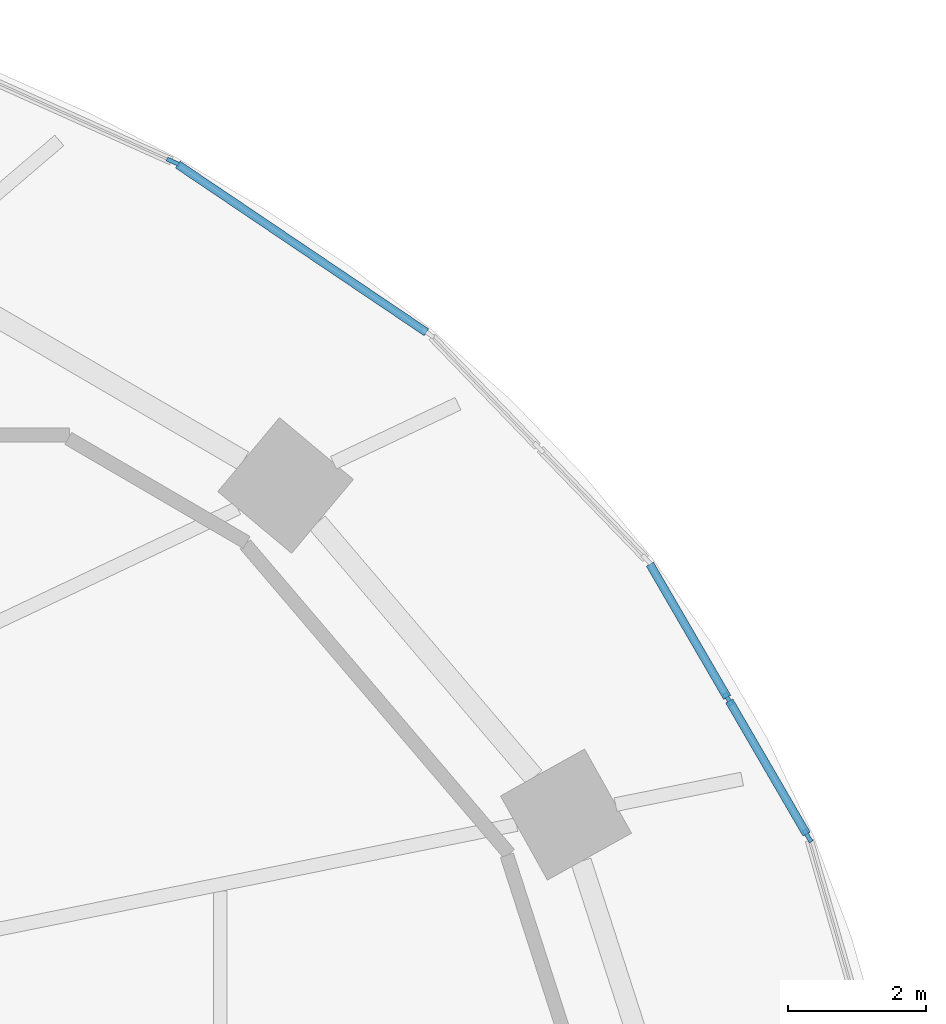
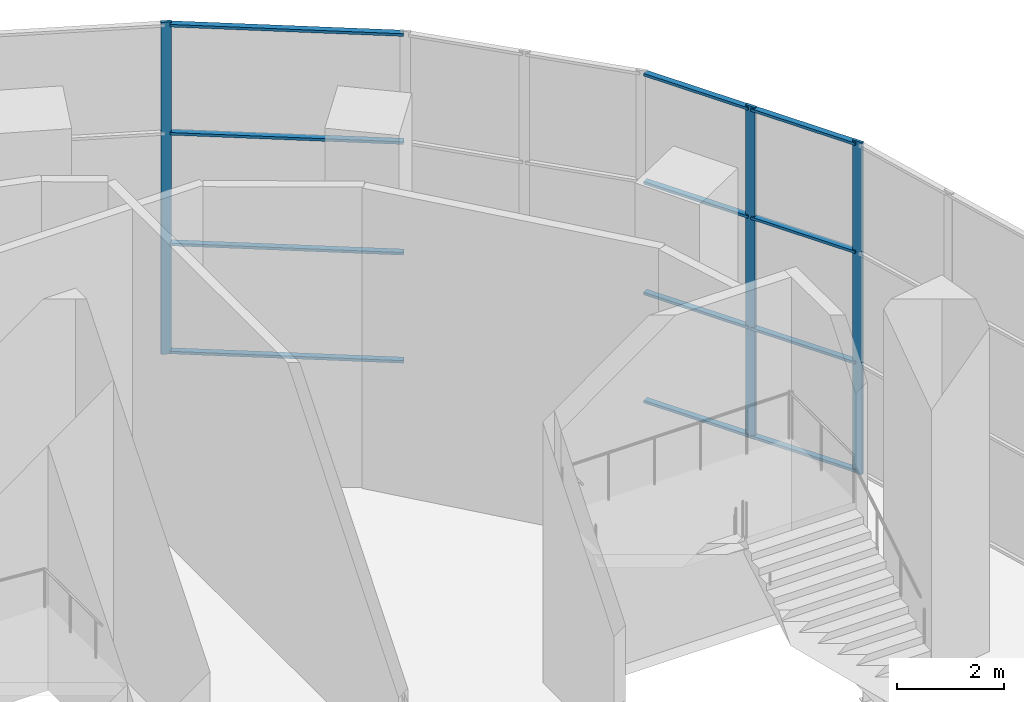
# One storey, part 9 of 22: 15 members, 3 elements without a shape of their own.
"""IFC4 building model written with IfcOpenShell, lengths in metres."""

import ifcopenshell
import ifcopenshell.guid

model = None  # the IFC model being written
_history = None  # IfcOwnerHistory: only IFC2X3 demands one
_inside = {}  # id of a spatial element -> (the spatial element, [elements in it])
_under = {}  # id of a project, library or spatial element -> (it, [spatial elements below it])
_declared = {}  # id of a project -> (the project, [libraries it declares])
_typed = {}  # id of a type object -> (the type object, [elements of that type])
_made_of = {}  # id of a material, layer set ... -> (it, [elements and type objects made of it])


def new_model(schema):
    """Start an empty IFC model of exactly this schema.

    Asked for "IFC4X3", IfcOpenShell would pick the latest addendum, in which some entities
    have other attributes; the version numbers below select the first issue.
    IFC2X3 requires an IfcOwnerHistory on every rooted entity: one is made here for all.
    """
    global model, _history
    if schema == "IFC4X3":
        model = ifcopenshell.file(schema_version=(4, 3, 0, 0))
    else:
        model = ifcopenshell.file(schema=schema)
    _inside.clear()
    _under.clear()
    _declared.clear()
    _typed.clear()
    _made_of.clear()
    _history = None
    if model.schema == "IFC2X3":
        org = make("IfcOrganization", Name="unknown")
        user = make(
            "IfcPersonAndOrganization",
            ThePerson=make("IfcPerson", FamilyName="unknown"),
            TheOrganization=org,
        )
        app = make(
            "IfcApplication",
            ApplicationDeveloper=org,
            Version="unknown",
            ApplicationFullName="unknown",
            ApplicationIdentifier="unknown",
        )
        _history = make(
            "IfcOwnerHistory",
            OwningUser=user,
            OwningApplication=app,
            ChangeAction="ADDED",
            CreationDate=0,
        )
    return model


def make(cls, **values):
    """One entity of the class cls with the attributes given. An attribute that is None is left unset."""
    return model.create_entity(
        cls, **{name: value for name, value in values.items() if value is not None}
    )


def rooted(cls, **values):
    """An entity with a GlobalId (a new one), such as an element, a storey or a relation."""
    return make(cls, GlobalId=ifcopenshell.guid.new(), OwnerHistory=_history, **values)


def si_unit(unit_type, name, prefix=None):
    """IfcSIUnit, for example si_unit("LENGTHUNIT", "METRE", prefix="MILLI")."""
    return make("IfcSIUnit", UnitType=unit_type, Prefix=prefix, Name=name)


def assignment(units):
    """IfcUnitAssignment: the units of a project."""
    return None if units is None else make("IfcUnitAssignment", Units=units)


def point(xyz):
    """IfcCartesianPoint."""
    return None if xyz is None else make("IfcCartesianPoint", Coordinates=xyz)


def direction(xyz):
    """IfcDirection."""
    return None if xyz is None else make("IfcDirection", DirectionRatios=xyz)


def frame(location, z_axis=None, x_axis=None):
    """IfcAxis2Placement3D, a coordinate frame: its origin and axes. An axis left out is left unset."""
    return make(
        "IfcAxis2Placement3D",
        Location=point(location),
        Axis=direction(z_axis),
        RefDirection=direction(x_axis),
    )


def frame_2d(location, x_axis=None):
    """IfcAxis2Placement2D, a coordinate frame in the plane: its origin and x axis."""
    return make(
        "IfcAxis2Placement2D", Location=point(location), RefDirection=direction(x_axis)
    )


def origin():
    """The frame at (0, 0, 0) with its axes left unset."""
    return frame((0.0, 0.0, 0.0))


def origin_2d():
    """The frame at (0, 0) in the plane with its x axis left unset."""
    return frame_2d((0.0, 0.0))


def place(relative_to, where):
    """IfcLocalPlacement: puts the frame where relative to a parent placement (None: the world)."""
    return make(
        "IfcLocalPlacement", PlacementRelTo=relative_to, RelativePlacement=where
    )


def context(
    kind, dimensions, precision=None, world=None, true_north=None, identifier=None
):
    """IfcGeometricRepresentationContext, for example the 3D "Model" context."""
    return make(
        "IfcGeometricRepresentationContext",
        ContextIdentifier=identifier,
        ContextType=kind,
        CoordinateSpaceDimension=dimensions,
        Precision=precision,
        WorldCoordinateSystem=world,
        TrueNorth=true_north,
    )


def subcontext(parent, identifier, kind, view, scale=None):
    """IfcGeometricRepresentationSubContext, for example "Body" below "Model"."""
    return make(
        "IfcGeometricRepresentationSubContext",
        ContextIdentifier=identifier,
        ContextType=kind,
        ParentContext=parent,
        TargetScale=scale,
        TargetView=view,
    )


def project(units=None, contexts=None):
    """IfcProject with its units and contexts."""
    return rooted(
        "IfcProject",
        Name="project",
        RepresentationContexts=contexts,
        UnitsInContext=assignment(units),
    )


def spatial(cls, under=None, at=None, **own):
    """A site, building, storey or space (cls), placed at a placement, below another one or the project."""
    s = rooted(cls, ObjectPlacement=at, **own)
    if under is not None:
        _under.setdefault(under.id(), (under, []))[1].append(s)
    return s


def profile(cls, at=None, kind="AREA", **sizes):
    """A parametric profile (cls). Its sizes go by their IFC names, for example OverallWidth=200.0."""
    return make(cls, ProfileType=kind, Position=at, **sizes)


def rectangle(**sizes):
    """IfcRectangleProfileDef."""
    return profile("IfcRectangleProfileDef", **sizes)


def extrude(swept, where, along, depth):
    """IfcExtrudedAreaSolid: the profile swept, set in the frame where, extruded along a direction by depth."""
    return make(
        "IfcExtrudedAreaSolid",
        SweptArea=swept,
        Position=where,
        ExtrudedDirection=direction(along),
        Depth=depth,
    )


def shape(context_of_items, identifier, shape_type, items):
    """IfcShapeRepresentation: the items that make up one representation, for example the "Body"."""
    return make(
        "IfcShapeRepresentation",
        ContextOfItems=context_of_items,
        RepresentationIdentifier=identifier,
        RepresentationType=shape_type,
        Items=items,
    )


def material(Name=None, Category=None):
    """IfcMaterial."""
    return make("IfcMaterial", Name=Name, Category=Category)


def material_profile(
    of_material, cross_section, Name=None, Category=None, Priority=None
):
    """IfcMaterialProfile: a cross section and its material."""
    return make(
        "IfcMaterialProfile",
        Name=Name,
        Material=of_material,
        Profile=cross_section,
        Priority=Priority,
        Category=Category,
    )


def profile_set(profiles, Name=None, composite=None):
    """IfcMaterialProfileSet."""
    return make(
        "IfcMaterialProfileSet",
        Name=Name,
        MaterialProfiles=profiles,
        CompositeProfile=composite,
    )


def made_of(thing, what):
    """Note that an element or type object is made of a material, layer set ...; save() writes the relation."""
    if what is not None:
        _made_of.setdefault(what.id(), (what, []))[1].append(thing)
    return thing


def type_object(cls, material=None, **own):
    """A type object (cls), such as IfcWallType, which elements share."""
    return made_of(rooted(cls, **own), material)


def element(
    cls,
    number,
    at=None,
    inside=None,
    cuts=None,
    type_object=None,
    material=None,
    context=None,
    identifier="Body",
    shape_type=None,
    held_by="IfcProductDefinitionShape",
    body=None,
    shapes=None,
    **own,
):
    """One element of the class cls, such as IfcWall. Its Tag is "e" and its number.

    at: its placement. inside: the storey or other place that contains it. cuts: it is an
    opening in that element (IfcRelVoidsElement). A single representation is given by context,
    identifier, shape_type and body (its items); several are given by shapes. held_by: the class
    of the entity that holds the representations. save() writes the other relations.
    """
    e = rooted(cls, Tag="e%d" % number, ObjectPlacement=at, **own)
    if body is not None:
        shapes = [shape(context, identifier, shape_type, body)]
    if shapes is not None:
        e.Representation = make(held_by, Representations=shapes)
    if inside is not None:
        _inside.setdefault(inside.id(), (inside, []))[1].append(e)
    if cuts is not None:
        rooted(
            "IfcRelVoidsElement", RelatingBuildingElement=cuts, RelatedOpeningElement=e
        )
    if type_object is not None:
        _typed.setdefault(type_object.id(), (type_object, []))[1].append(e)
    return made_of(e, material)


def aggregate(whole, parts):
    """IfcRelAggregates: a whole, such as a stair, and the parts it consists of."""
    return rooted("IfcRelAggregates", RelatingObject=whole, RelatedObjects=parts)


def save(model, path):
    """Write the relations noted so far, then the file.

    IfcRelAggregates (storeys below a building ...), IfcRelContainedInSpatialStructure (elements
    in a storey), IfcRelDefinesByType, IfcRelAssociatesMaterial and IfcRelDeclares: one each for
    every whole, place, type object, material and project.
    """
    for whole, parts in _under.values():
        aggregate(whole, parts)
    for where, things in _inside.values():
        rooted(
            "IfcRelContainedInSpatialStructure",
            RelatedElements=things,
            RelatingStructure=where,
        )
    for kind, things in _typed.values():
        rooted("IfcRelDefinesByType", RelatedObjects=things, RelatingType=kind)
    for what, things in _made_of.values():
        rooted("IfcRelAssociatesMaterial", RelatedObjects=things, RelatingMaterial=what)
    for by, libraries in _declared.values():
        rooted("IfcRelDeclares", RelatingContext=by, RelatedDefinitions=libraries)
    model.write(path)


model = new_model("IFC4")

# Units and contexts
model_context = context("Model", 3, precision=1e-05, world=origin(), true_north=direction((0.0, 1.0)))
body_context = subcontext(model_context, "Body", "Model", "MODEL_VIEW")
ifc_project = project(units=[si_unit("LENGTHUNIT", "METRE"), si_unit("AREAUNIT", "SQUARE_METRE"), si_unit("VOLUMEUNIT", "CUBIC_METRE"), si_unit("PLANEANGLEUNIT", "RADIAN"), si_unit("MASSUNIT", "GRAM", prefix="KILO")], contexts=[model_context])

# Site, building, storey
site_placement = place(None, origin())
site = spatial("IfcSite", under=ifc_project, at=site_placement, CompositionType="ELEMENT")
building_placement = place(site_placement, origin())
building = spatial("IfcBuilding", under=site, at=building_placement, Name="Rubra Terraces Tower", CompositionType="ELEMENT")
storey_placement = place(building_placement, frame((0.0, 0.0, 15.0)))
storey = spatial("IfcBuildingStorey", under=building, at=storey_placement, Name="L02", CompositionType="ELEMENT", Elevation=15.0)

# Curtain wall, members
ifc_material_1 = material(Name="Aluminium and glass", Category="aluminium")
curtain_wall_type = type_object("IfcCurtainWallType", Name="Curtain wall Podium glazing", PredefinedType="NOTDEFINED", material=ifc_material_1)
curtain_wall_1_placement = place(storey_placement, origin())
curtain_wall_1 = element("IfcCurtainWall", 1, at=curtain_wall_1_placement, inside=storey, type_object=curtain_wall_type, Name="L02 glazing bay 3", PredefinedType="NOTDEFINED")
ifc_material_2 = material(Name="Aluminium, anodised dark grey", Category="aluminium")
ifc_material_profile_1 = material_profile(ifc_material_2, rectangle(XDim=0.06005859375, YDim=0.199951171875, at=origin_2d()), Name="AL 60x200")
ifc_profile_set_1 = profile_set([ifc_material_profile_1], Name="Aluminium, anodised dark grey")
member_type_1 = type_object("IfcMemberType", Name="Podium glazing mullion 60 x 200", PredefinedType="MULLION", material=ifc_profile_set_1)
member_1_placement = place(storey_placement, frame((28.18798828125, 9.17333984375, 0.0), z_axis=(0.0, 0.0, 1.0), x_axis=(-0.864813011398, -0.502094070187, 0.0)))
member_1 = element("IfcMember", 2, at=member_1_placement, type_object=member_type_1, Name="CW1 mullion 1", PredefinedType="MULLION", context=body_context, shape_type="SweptSolid", body=[
    extrude(rectangle(XDim=0.06005859375, YDim=0.199951171875, at=origin_2d()), origin(), (0.0, 0.0, 1.0), 7.550048828125),
])
member_2_placement = place(storey_placement, frame((27.0341796875, 11.160888671875, 0.0), z_axis=(0.0, 0.0, 1.0), x_axis=(-0.864813011398, -0.502094070187, 0.0)))
member_2 = element("IfcMember", 3, at=member_2_placement, type_object=member_type_1, Name="CW1 mullion 2", PredefinedType="MULLION", context=body_context, shape_type="SweptSolid", body=[
    extrude(rectangle(XDim=0.06005859375, YDim=0.199951171875, at=origin_2d()), origin(), (0.0, 0.0, 1.0), 7.550048828125),
])

# Curtain wall, member
curtain_wall_2_placement = place(storey_placement, origin())
curtain_wall_2 = element("IfcCurtainWall", 4, at=curtain_wall_2_placement, inside=storey, type_object=curtain_wall_type, Name="L02 glazing bay 6", PredefinedType="NOTDEFINED")
member_3_placement = place(storey_placement, frame((18.968017578125, 18.969970703125, 0.0), z_axis=(0.0, 0.0, 1.0), x_axis=(-0.4089624427, -0.912551215254, 0.0)))
member_3 = element("IfcMember", 5, at=member_3_placement, type_object=member_type_1, Name="CW1 mullion 1", PredefinedType="MULLION", context=body_context, shape_type="SweptSolid", body=[
    extrude(rectangle(XDim=0.06005859375, YDim=0.199951171875, at=origin_2d()), origin(), (0.0, 0.0, 1.0), 7.550048828125),
])
aggregate(curtain_wall_2, [member_3])

# Member
ifc_material_profile_2 = material_profile(ifc_material_2, rectangle(XDim=0.1201171875, YDim=0.06005859375, at=origin_2d()), Name="AL 120x60")
ifc_profile_set_2 = profile_set([ifc_material_profile_2], Name="Aluminium, anodised dark grey")
member_type_2 = type_object("IfcMemberType", Name="Podium glazing transom 120 x 60", PredefinedType="USERDEFINED", material=ifc_profile_set_2)
member_4_placement = place(storey_placement, frame((28.173095703125, 9.19921875, 0.06005859375), z_axis=(-0.5021881448, 0.864758386616, 0.0), x_axis=(-0.864758386616, -0.5021881448, 0.0)))
member_4 = element("IfcMember", 6, at=member_4_placement, type_object=member_type_2, Name="CW1 transom 1.1", ObjectType="TRANSOM", PredefinedType="USERDEFINED", context=body_context, shape_type="SweptSolid", body=[
    extrude(rectangle(XDim=0.1201171875, YDim=0.06005859375, at=origin_2d()), origin(), (0.0, 0.0, 1.0), 2.23828125),
])

member_5_placement = place(storey_placement, frame((28.173095703125, 9.19921875, 2.5166015625), z_axis=(-0.5021881448, 0.864758386616, 0.0), x_axis=(-0.864758386616, -0.5021881448, 0.0)))
member_5 = element("IfcMember", 7, at=member_5_placement, type_object=member_type_2, Name="CW1 transom 1.2", ObjectType="TRANSOM", PredefinedType="USERDEFINED", context=body_context, shape_type="SweptSolid", body=[
    extrude(rectangle(XDim=0.1201171875, YDim=0.06005859375, at=origin_2d()), origin(), (0.0, 0.0, 1.0), 2.23828125),
])

member_6_placement = place(storey_placement, frame((28.173095703125, 9.19921875, 5.033203125), z_axis=(-0.5021881448, 0.864758386616, 0.0), x_axis=(-0.864758386616, -0.5021881448, 0.0)))
member_6 = element("IfcMember", 8, at=member_6_placement, type_object=member_type_2, Name="CW1 transom 1.3", ObjectType="TRANSOM", PredefinedType="USERDEFINED", context=body_context, shape_type="SweptSolid", body=[
    extrude(rectangle(XDim=0.1201171875, YDim=0.06005859375, at=origin_2d()), origin(), (0.0, 0.0, 1.0), 2.23828125),
])

member_7_placement = place(storey_placement, frame((28.173095703125, 9.19921875, 7.489990234375), z_axis=(-0.5021881448, 0.864758386616, 0.0), x_axis=(-0.864758386616, -0.5021881448, 0.0)))
member_7 = element("IfcMember", 9, at=member_7_placement, type_object=member_type_2, Name="CW1 transom 1.4", ObjectType="TRANSOM", PredefinedType="USERDEFINED", context=body_context, shape_type="SweptSolid", body=[
    extrude(rectangle(XDim=0.1201171875, YDim=0.06005859375, at=origin_2d()), origin(), (0.0, 0.0, 1.0), 2.23828125),
])

member_8_placement = place(storey_placement, frame((27.01904296875, 11.186767578125, 0.06005859375), z_axis=(-0.502106569931, 0.864805754162, 0.0), x_axis=(-0.864805754162, -0.502106569931, 0.0)))
member_8 = element("IfcMember", 10, at=member_8_placement, type_object=member_type_2, Name="CW1 transom 2.1", ObjectType="TRANSOM", PredefinedType="USERDEFINED", context=body_context, shape_type="SweptSolid", body=[
    extrude(rectangle(XDim=0.1201171875, YDim=0.06005859375, at=origin_2d()), origin(), (0.0, 0.0, 1.0), 2.238037109375),
])

member_9_placement = place(storey_placement, frame((27.01904296875, 11.186767578125, 2.5166015625), z_axis=(-0.502106569931, 0.864805754162, 0.0), x_axis=(-0.864805754162, -0.502106569931, 0.0)))
member_9 = element("IfcMember", 11, at=member_9_placement, type_object=member_type_2, Name="CW1 transom 2.2", ObjectType="TRANSOM", PredefinedType="USERDEFINED", context=body_context, shape_type="SweptSolid", body=[
    extrude(rectangle(XDim=0.1201171875, YDim=0.06005859375, at=origin_2d()), origin(), (0.0, 0.0, 1.0), 2.238037109375),
])

member_10_placement = place(storey_placement, frame((27.01904296875, 11.186767578125, 5.033203125), z_axis=(-0.502106569931, 0.864805754162, 0.0), x_axis=(-0.864805754162, -0.502106569931, 0.0)))
member_10 = element("IfcMember", 12, at=member_10_placement, type_object=member_type_2, Name="CW1 transom 2.3", ObjectType="TRANSOM", PredefinedType="USERDEFINED", context=body_context, shape_type="SweptSolid", body=[
    extrude(rectangle(XDim=0.1201171875, YDim=0.06005859375, at=origin_2d()), origin(), (0.0, 0.0, 1.0), 2.238037109375),
])

member_11_placement = place(storey_placement, frame((27.01904296875, 11.186767578125, 7.489990234375), z_axis=(-0.502106569931, 0.864805754162, 0.0), x_axis=(-0.864805754162, -0.502106569931, 0.0)))
member_11 = element("IfcMember", 13, at=member_11_placement, type_object=member_type_2, Name="CW1 transom 2.4", ObjectType="TRANSOM", PredefinedType="USERDEFINED", context=body_context, shape_type="SweptSolid", body=[
    extrude(rectangle(XDim=0.1201171875, YDim=0.06005859375, at=origin_2d()), origin(), (0.0, 0.0, 1.0), 2.238037109375),
])

aggregate(curtain_wall_1, [member_1, member_2, member_4, member_5, member_6, member_7, member_8, member_9, member_10, member_11])

# Curtain wall, members
curtain_wall_3_placement = place(storey_placement, origin())
curtain_wall_3 = element("IfcCurtainWall", 14, at=curtain_wall_3_placement, inside=storey, type_object=curtain_wall_type, Name="L02 glazing bay 5", PredefinedType="NOTDEFINED")
member_12_placement = place(storey_placement, frame((22.6474609375, 16.492431640625, 0.06005859375), z_axis=(-0.828996039897, 0.559254473236, 0.0), x_axis=(-0.559254473236, -0.828996039897, 0.0)))
member_12 = element("IfcMember", 15, at=member_12_placement, type_object=member_type_2, Name="CW1 transom 1.1", ObjectType="TRANSOM", PredefinedType="USERDEFINED", context=body_context, shape_type="SweptSolid", body=[
    extrude(rectangle(XDim=0.1201171875, YDim=0.06005859375, at=origin_2d()), origin(), (0.0, 0.0, 1.0), 4.35888671875),
])
member_13_placement = place(storey_placement, frame((22.6474609375, 16.492431640625, 2.5166015625), z_axis=(-0.828996039897, 0.559254473236, 0.0), x_axis=(-0.559254473236, -0.828996039897, 0.0)))
member_13 = element("IfcMember", 16, at=member_13_placement, type_object=member_type_2, Name="CW1 transom 1.2", ObjectType="TRANSOM", PredefinedType="USERDEFINED", context=body_context, shape_type="SweptSolid", body=[
    extrude(rectangle(XDim=0.1201171875, YDim=0.06005859375, at=origin_2d()), origin(), (0.0, 0.0, 1.0), 4.35888671875),
])
member_14_placement = place(storey_placement, frame((22.6474609375, 16.492431640625, 5.033203125), z_axis=(-0.828996039897, 0.559254473236, 0.0), x_axis=(-0.559254473236, -0.828996039897, 0.0)))
member_14 = element("IfcMember", 17, at=member_14_placement, type_object=member_type_2, Name="CW1 transom 1.3", ObjectType="TRANSOM", PredefinedType="USERDEFINED", context=body_context, shape_type="SweptSolid", body=[
    extrude(rectangle(XDim=0.1201171875, YDim=0.06005859375, at=origin_2d()), origin(), (0.0, 0.0, 1.0), 4.35888671875),
])
member_15_placement = place(storey_placement, frame((22.6474609375, 16.492431640625, 7.489990234375), z_axis=(-0.828996039897, 0.559254473236, 0.0), x_axis=(-0.559254473236, -0.828996039897, 0.0)))
member_15 = element("IfcMember", 18, at=member_15_placement, type_object=member_type_2, Name="CW1 transom 1.4", ObjectType="TRANSOM", PredefinedType="USERDEFINED", context=body_context, shape_type="SweptSolid", body=[
    extrude(rectangle(XDim=0.1201171875, YDim=0.06005859375, at=origin_2d()), origin(), (0.0, 0.0, 1.0), 4.35888671875),
])
aggregate(curtain_wall_3, [member_12, member_13, member_14, member_15])

save(model, "model.ifc")
